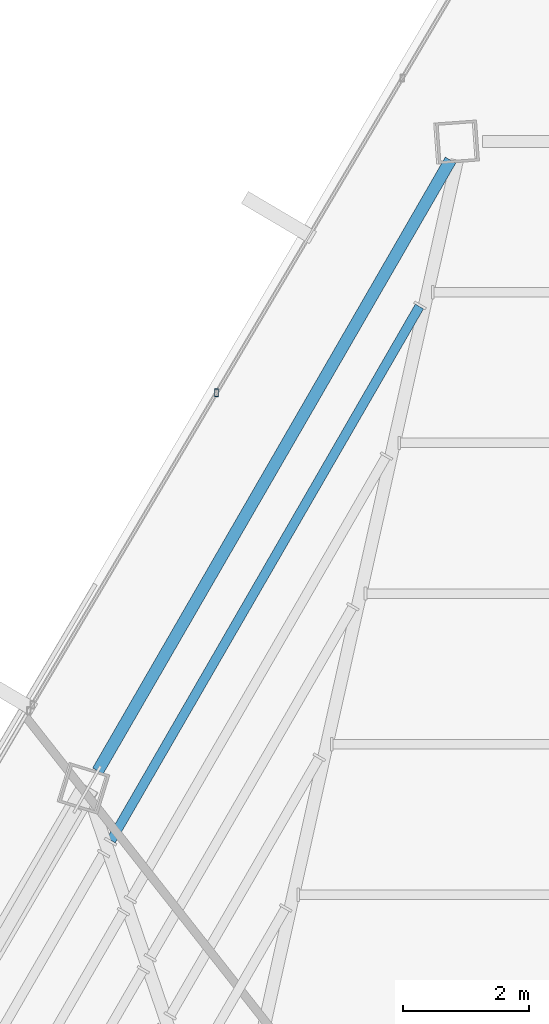
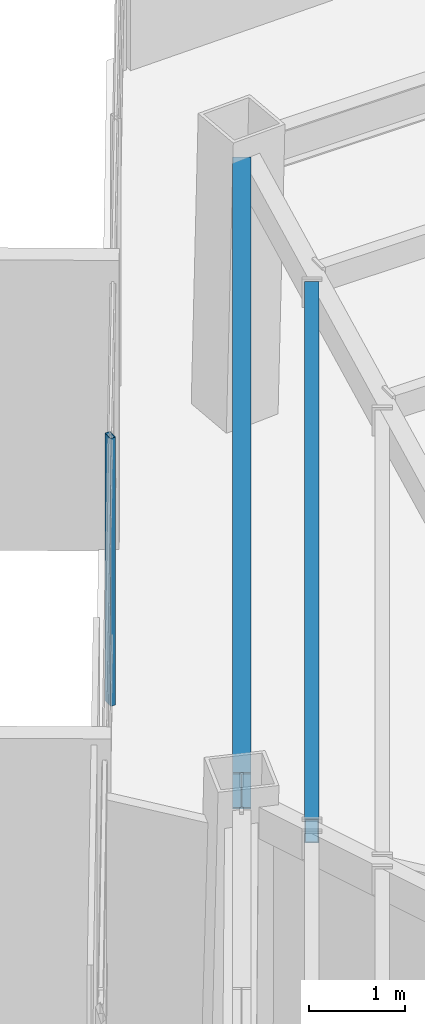
# One storey, part 31 of 47: 2 beams, 1 member, 1 element without a shape of its own.
"""IFC4 building model written with IfcOpenShell, lengths in metres."""

from ifc_helpers import new_model, si_unit, direction, frame, origin, origin_2d, place, context, subcontext, project, spatial, hollow_rectangle, i_section, extrude, source, transform, mapped, material, material_profile, profile_set, type_object, type_shapes, element, aggregate, save


model = new_model("IFC4")

# Units and contexts
model_context = context("Model", 3, precision=1e-05, world=origin(), true_north=direction((0.0, 1.0)))
body_context = subcontext(model_context, "Body", "Model", "MODEL_VIEW")
ifc_project = project(units=[si_unit("LENGTHUNIT", "METRE"), si_unit("AREAUNIT", "SQUARE_METRE"), si_unit("VOLUMEUNIT", "CUBIC_METRE"), si_unit("PLANEANGLEUNIT", "RADIAN"), si_unit("MASSUNIT", "GRAM", prefix="KILO")], contexts=[model_context])

# Site, building, storey
site_placement = place(None, origin())
site = spatial("IfcSite", under=ifc_project, at=site_placement, CompositionType="ELEMENT")
building_placement = place(site_placement, origin())
building = spatial("IfcBuilding", under=site, at=building_placement, Name="Caelisora Broadcast Tower", CompositionType="ELEMENT")
storey_placement = place(building_placement, frame((0.0, 0.0, 255.39990234375)))
storey = spatial("IfcBuildingStorey", under=building, at=storey_placement, Name="L67", CompositionType="ELEMENT", Elevation=255.39990234375)

# Beams
ifc_material_1 = material(Name="Steel Grade 350 (AS/NZS 3679.1)", Category="steel")
ifc_material_profile_1 = material_profile(ifc_material_1, i_section(OverallWidth=0.19091796875, OverallDepth=0.46044921875, WebThickness=0.010009765625, FlangeThickness=0.01611328125, at=origin_2d()), Name="Steel Grade 350 (AS/NZS 3679.1)")
ifc_profile_set_1 = profile_set([ifc_material_profile_1], Name="Steel Grade 350 (AS/NZS 3679.1)")
beam_type_1 = type_object("IfcBeamType", Name="PG06", PredefinedType="BEAM", material=ifc_profile_set_1)
shared_shape_1 = source(origin(), body_context, "Body", "SweptSolid", [
    extrude(i_section(OverallWidth=0.19091796875, OverallDepth=0.46044921875, WebThickness=0.010009765625, FlangeThickness=0.01611328125, at=origin_2d()), origin(), (0.0, 0.0, 1.0), 11.1572265625),
])
type_shapes(beam_type_1, [shared_shape_1])
beam_1_placement = place(storey_placement, frame((34.04833984375, 46.38671875, 3.169921875), z_axis=(-0.50000342009, -0.866023429186, 0.0), x_axis=(0.866023429186, -0.50000342009, 0.0)))
element("IfcBeam", 1, at=beam_1_placement, inside=storey, type_object=beam_type_1, Name="L67 beam PG06", PredefinedType="BEAM", context=body_context, shape_type="MappedRepresentation", body=[
    mapped(shared_shape_1, transform((0.0, 0.0, 0.0), scale=1.0)),
])
ifc_material_2 = material(Name="Steel Grade 350 (AS/NZS 1163 C350L0)", Category="steel")
ifc_material_profile_2 = material_profile(ifc_material_2, hollow_rectangle(XDim=0.14990234375, YDim=0.300048828125, WallThickness=0.010009765625, at=origin_2d()), Name="Steel Grade 350 (AS/NZS 1163 C350L0)")
ifc_profile_set_2 = profile_set([ifc_material_profile_2], Name="Steel Grade 350 (AS/NZS 1163 C350L0)")
beam_type_2 = type_object("IfcBeamType", Name="SB05", PredefinedType="JOIST", material=ifc_profile_set_2)
shared_shape_2 = source(origin(), body_context, "Body", "SweptSolid", [
    extrude(hollow_rectangle(XDim=0.14990234375, YDim=0.300048828125, WallThickness=0.010009765625, at=origin_2d()), origin(), (0.0, 0.0, 1.0), 9.7529296875),
])
type_shapes(beam_type_2, [shared_shape_2])
beam_2_placement = place(storey_placement, frame((33.55615234375, 44.0712890625, 3.25), z_axis=(-0.499999813892, -0.866025511234, 0.0), x_axis=(0.866025511234, -0.499999813892, 0.0)))
element("IfcBeam", 2, at=beam_2_placement, inside=storey, type_object=beam_type_2, Name="L67 beam SB05", PredefinedType="JOIST", context=body_context, shape_type="MappedRepresentation", body=[
    mapped(shared_shape_2, transform((0.0, 0.0, 0.0), scale=1.0)),
])

# Curtain wall, member
ifc_material_3 = material(Name="Unitised Aluminium and Low-E Glass Curtain Wall", Category="glass")
curtain_wall_type = type_object("IfcCurtainWallType", Name="CW-Z5", PredefinedType="NOTDEFINED", material=ifc_material_3)
curtain_wall_placement = place(storey_placement, origin())
curtain_wall = element("IfcCurtainWall", 3, at=curtain_wall_placement, inside=storey, type_object=curtain_wall_type, Name="L67 curtain wall CW-Z5", PredefinedType="NOTDEFINED")
ifc_material_4 = material(Name="Aluminium 6063-T6 Anodised Terracotta Bronze", Category="aluminium")
ifc_material_profile_3 = material_profile(ifc_material_4, hollow_rectangle(XDim=0.06005859375, YDim=0.1201171875, WallThickness=0.0029296875, at=origin_2d()), Name="Aluminium 6063-T6 Anodised Terracotta Bronze")
ifc_profile_set_3 = profile_set([ifc_material_profile_3], Name="Aluminium 6063-T6 Anodised Terracotta Bronze")
member_type = type_object("IfcMemberType", Name="CWM-04", PredefinedType="MULLION", material=ifc_profile_set_3)
shared_shape_3 = source(origin(), body_context, "Body", "SweptSolid", [
    extrude(hollow_rectangle(XDim=0.06005859375, YDim=0.1201171875, WallThickness=0.0029296875, at=origin_2d()), origin(), (0.0, 0.0, 1.0), 3.400146484375),
])
type_shapes(member_type, [shared_shape_3])
member_placement = place(storey_placement, frame((30.346923828125, 42.707275390625, 0.0), z_axis=(0.0, 0.0, 1.0), x_axis=(1.0, 0.0, 0.0)))
member = element("IfcMember", 4, at=member_placement, type_object=member_type, Name="L67-CW-B11 mullion #1", PredefinedType="MULLION", context=body_context, shape_type="MappedRepresentation", body=[
    mapped(shared_shape_3, transform((0.0, 0.0, 0.0), scale=1.0)),
])
aggregate(curtain_wall, [member])

save(model, "model.ifc")
